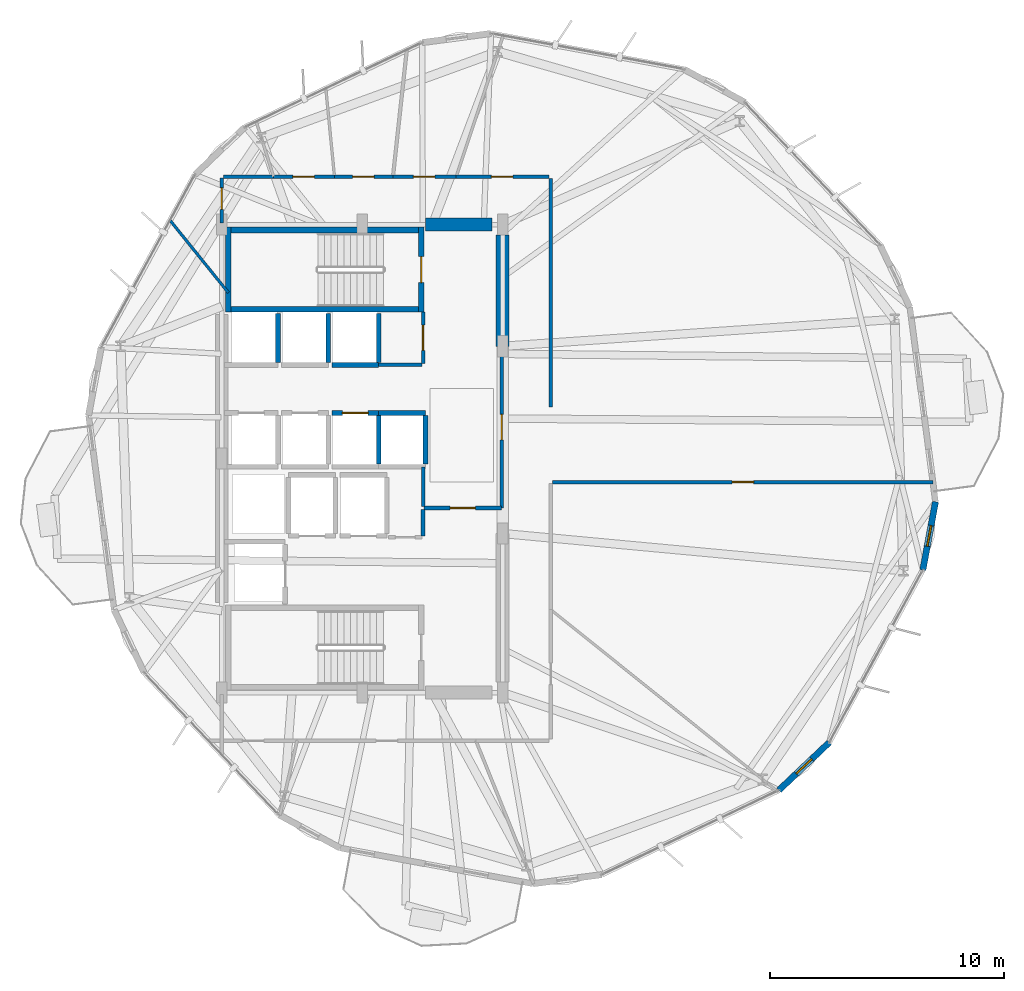
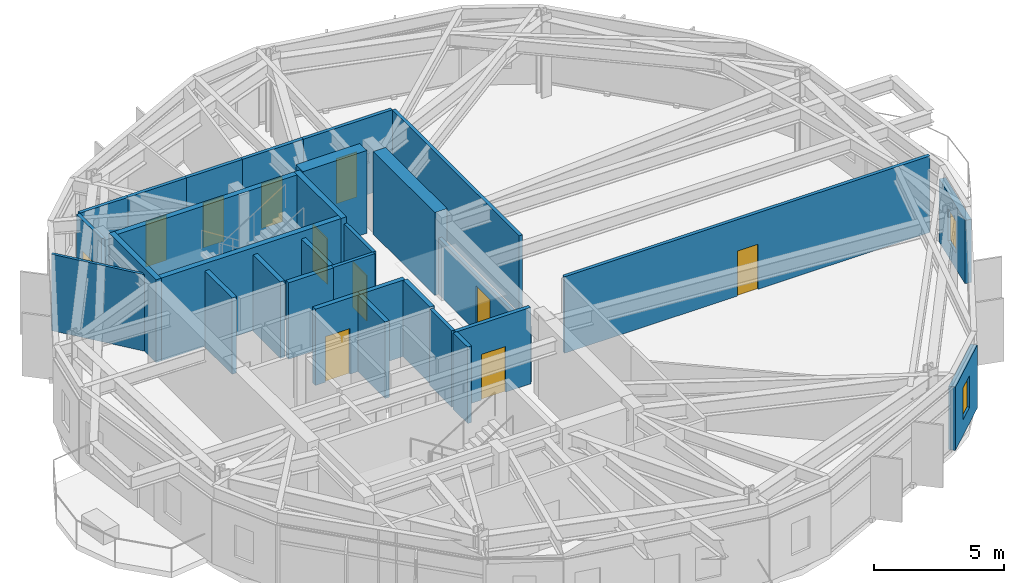
# One storey, part 21 of 25: 31 walls, 11 doors, 2 windows, 13 openings.
"""IFC4 building model written with IfcOpenShell, lengths in metres."""

from ifc_helpers import new_model, si_unit, direction, frame, frame_2d, origin, place, context, subcontext, project, spatial, rectangle, extrude, material, layer, layer_set, type_object, element, fill, save


model = new_model("IFC4")

# Units and contexts
model_context = context("Model", 3, precision=1e-05, world=origin(), true_north=direction((0.0, 1.0)))
body_context = subcontext(model_context, "Body", "Model", "MODEL_VIEW")
ifc_project = project(units=[si_unit("LENGTHUNIT", "METRE"), si_unit("AREAUNIT", "SQUARE_METRE"), si_unit("VOLUMEUNIT", "CUBIC_METRE"), si_unit("PLANEANGLEUNIT", "RADIAN"), si_unit("MASSUNIT", "GRAM", prefix="KILO")], contexts=[model_context])

# Site, building, storey
site_placement = place(None, origin())
site = spatial("IfcSite", under=ifc_project, at=site_placement, CompositionType="ELEMENT")
building_placement = place(site_placement, origin())
building = spatial("IfcBuilding", under=site, at=building_placement, Name="Soratama Intermodal Tower", CompositionType="ELEMENT")
storey_placement = place(building_placement, frame((0.0, 0.0, 126.39990234375)))
storey = spatial("IfcBuildingStorey", under=building, at=storey_placement, Name="L30", CompositionType="ELEMENT", Elevation=126.39990234375)

# Wall, opening, window
ifc_material_1 = material(Name="Concrete f'c 42 MPa", Category="concrete")
ifc_layer_1 = layer(ifc_material_1, 0.27001953125)
ifc_layer_set_1 = layer_set([ifc_layer_1], Name="Concrete f'c 42 MPa")
wall_type_1 = type_object("IfcWallType", Name="EW-CRN-270", PredefinedType="SOLIDWALL", material=ifc_layer_set_1)
wall_1_placement = place(storey_placement, frame((56.40380859375, 10.827880859375, 0.0), z_axis=(0.0, 0.0, 1.0), x_axis=(0.725340416539, 0.688390354476, 0.0)))
wall_1 = element("IfcWall", 1, at=wall_1_placement, inside=storey, type_object=wall_type_1, Name="L30 Corner Closure Wall 08", PredefinedType="SOLIDWALL", context=body_context, shape_type="SweptSolid", body=[
    extrude(rectangle(XDim=2.966796875, YDim=0.27001953125, at=frame_2d((1.4833984375, 0.0))), origin(), (0.0, 0.0, 1.0), 2.97900390625),
])
opening_1_placement = place(wall_1_placement, frame((1.033203125, 0.0, 0.75)))
opening_1 = element("IfcOpeningElement", 2, at=opening_1_placement, cuts=wall_1, Name="Opening WN-6", PredefinedType="OPENING", context=body_context, shape_type="SweptSolid", body=[
    extrude(rectangle(XDim=0.89990234375, YDim=1.5, at=frame_2d((0.449951171875, 0.75))), frame((0.0, 0.14501953125, 0.0), z_axis=(0.0, -1.0, 0.0), x_axis=(1.0, 0.0, 0.0)), (0.0, 0.0, 1.0), 0.2900390625),
])
ifc_material_2 = material(Name="Double-glazed aluminium window", Category="aluminium")
window_type = type_object("IfcWindowType", Name="WN-FAC-900", PartitioningType="SINGLE_PANEL", PredefinedType="WINDOW", material=ifc_material_2)
window_1_placement = place(opening_1_placement, origin())
window_1 = element("IfcWindow", 3, at=window_1_placement, inside=storey, type_object=window_type, Name="L30 Corner Window 08", OverallHeight=1.5, OverallWidth=0.89990234375, PartitioningType="SINGLE_PANEL", PredefinedType="WINDOW", context=body_context, shape_type="SweptSolid", body=[
    extrude(rectangle(XDim=0.89990234375, YDim=1.5, at=frame_2d((0.449951171875, 0.75))), frame((0.0, 0.030029296875, 0.0), z_axis=(0.0, -1.0, 0.0), x_axis=(1.0, 0.0, 0.0)), (0.0, 0.0, 1.0), 0.06005859375),
])
fill(opening_1, window_1)

wall_2_placement = place(storey_placement, frame((62.555908203125, 20.23779296875, 0.0), z_axis=(0.0, 0.0, 1.0), x_axis=(0.182295553122, 0.983243780205, 0.0)))
wall_2 = element("IfcWall", 4, at=wall_2_placement, inside=storey, type_object=wall_type_1, Name="L30 Corner Closure Wall 09", PredefinedType="SOLIDWALL", context=body_context, shape_type="SweptSolid", body=[
    extrude(rectangle(XDim=2.966552734375, YDim=0.27001953125, at=frame_2d((1.4833984375, 0.0))), origin(), (0.0, 0.0, 1.0), 2.97900390625),
])
opening_2_placement = place(wall_2_placement, frame((1.033203125, 0.0, 0.75)))
opening_2 = element("IfcOpeningElement", 5, at=opening_2_placement, cuts=wall_2, Name="Opening WN-6", PredefinedType="OPENING", context=body_context, shape_type="SweptSolid", body=[
    extrude(rectangle(XDim=0.89990234375, YDim=1.5, at=frame_2d((0.449951171875, 0.75))), frame((0.0, 0.14501953125, 0.0), z_axis=(0.0, -1.0, 0.0), x_axis=(1.0, 0.0, 0.0)), (0.0, 0.0, 1.0), 0.2900390625),
])
window_2_placement = place(opening_2_placement, origin())
window_2 = element("IfcWindow", 6, at=window_2_placement, inside=storey, type_object=window_type, Name="L30 Corner Window 09", OverallHeight=1.5, OverallWidth=0.89990234375, PartitioningType="SINGLE_PANEL", PredefinedType="WINDOW", context=body_context, shape_type="SweptSolid", body=[
    extrude(rectangle(XDim=0.89990234375, YDim=1.5, at=frame_2d((0.449951171875, 0.75))), frame((0.0, 0.030029296875, 0.0), z_axis=(0.0, -1.0, 0.0), x_axis=(1.0, 0.0, 0.0)), (0.0, 0.0, 1.0), 0.06005859375),
])
fill(opening_2, window_2)

# Wall, opening, door
ifc_material_3 = material(Name="Fire-rated gypsum stud partition", Category="concrete")
ifc_layer_2 = layer(ifc_material_3, 0.14990234375)
ifc_layer_set_2 = layer_set([ifc_layer_2], Name="Fire-rated gypsum stud partition")
wall_type_2 = type_object("IfcWallType", Name="IW-PART-R150", PredefinedType="PARTITIONING", material=ifc_layer_set_2)
wall_3_placement = place(storey_placement, frame((62.985107421875, 24.0, 0.0), z_axis=(0.0, 0.0, 1.0), x_axis=(-1.0, 0.0, 0.0)))
wall_3 = element("IfcWall", 7, at=wall_3_placement, inside=storey, type_object=wall_type_2, Name="L30 Partition W-L30-TP001", PredefinedType="PARTITIONING", context=body_context, shape_type="SweptSolid", body=[
    extrude(rectangle(XDim=16.26513671875, YDim=0.14990234375, at=frame_2d((8.132568359375, 0.0))), origin(), (0.0, 0.0, 1.0), 3.60009765625),
])
opening_3_placement = place(wall_3_placement, frame((7.657958984375, 0.0, 0.0)))
opening_3 = element("IfcOpeningElement", 8, at=opening_3_placement, cuts=wall_3, Name="Opening ID-6", PredefinedType="OPENING", context=body_context, shape_type="SweptSolid", body=[
    extrude(rectangle(XDim=0.919921875, YDim=2.1201171875, at=frame_2d((0.4599609375, 1.06005859375))), frame((0.0, 0.0849609375, 0.0), z_axis=(0.0, -1.0, 0.0), x_axis=(1.0, 0.0, 0.0)), (0.0, 0.0, 1.0), 0.169921875),
])
ifc_material_4 = material(Name="Solid hardwood acoustic door", Category="wood")
door_type_1 = type_object("IfcDoorType", Name="DR-ROOM-920", OperationType="NOTDEFINED", PredefinedType="DOOR", material=ifc_material_4)
door_1_placement = place(opening_3_placement, origin())
door_1 = element("IfcDoor", 9, at=door_1_placement, inside=storey, type_object=door_type_1, Name="L30 Door D-L30-TP001", OperationType="SINGLE_SWING_RIGHT", OverallHeight=2.1201171875, OverallWidth=0.919921875, PredefinedType="DOOR", context=body_context, shape_type="SweptSolid", body=[
    extrude(rectangle(XDim=0.919921875, YDim=2.1201171875, at=frame_2d((0.4599609375, 1.06005859375))), frame((0.0, 0.02490234375, 0.0), z_axis=(0.0, -1.0, 0.0), x_axis=(1.0, 0.0, 0.0)), (0.0, 0.0, 1.0), 0.050048828125),
])
fill(opening_3, door_1)

wall_4_placement = place(storey_placement, frame((44.56005859375, 29.800048828125, 0.0), z_axis=(0.0, 0.0, 1.0), x_axis=(0.0, -1.0, 0.0)))
wall_4 = element("IfcWall", 10, at=wall_4_placement, inside=storey, type_object=wall_type_2, Name="L30 Partition W-L30-TP004", PredefinedType="PARTITIONING", context=body_context, shape_type="SweptSolid", body=[
    extrude(rectangle(XDim=6.91015625, YDim=0.14990234375, at=frame_2d((3.455078125, 0.0))), origin(), (0.0, 0.0, 1.0), 2.64013671875),
])
opening_4_placement = place(wall_4_placement, frame((2.9150390625, 0.0, 0.0)))
opening_4 = element("IfcOpeningElement", 11, at=opening_4_placement, cuts=wall_4, Name="Opening ID-1", PredefinedType="OPENING", context=body_context, shape_type="SweptSolid", body=[
    extrude(rectangle(XDim=1.080078125, YDim=2.14990234375, at=frame_2d((0.5400390625, 1.074951171875))), frame((0.0, 0.0849609375, 0.0), z_axis=(0.0, -1.0, 0.0), x_axis=(1.0, 0.0, 0.0)), (0.0, 0.0, 1.0), 0.169921875),
])
ifc_material_5 = material(Name="Solid hardwood acoustic door", Category="wood")
door_type_2 = type_object("IfcDoorType", Name="DR-LOB-FD60", OperationType="NOTDEFINED", PredefinedType="DOOR", material=ifc_material_5)
door_2_placement = place(opening_4_placement, origin())
door_2 = element("IfcDoor", 12, at=door_2_placement, inside=storey, type_object=door_type_2, Name="L30 Door D-L30-TP003", OperationType="SINGLE_SWING_RIGHT", OverallHeight=2.14990234375, OverallWidth=1.080078125, PredefinedType="DOOR", context=body_context, shape_type="SweptSolid", body=[
    extrude(rectangle(XDim=1.080078125, YDim=2.14990234375, at=frame_2d((0.5400390625, 1.074951171875))), frame((0.0, 0.02490234375, 0.0), z_axis=(0.0, -1.0, 0.0), x_axis=(1.0, 0.0, 0.0)), (0.0, 0.0, 1.0), 0.050048828125),
])
fill(opening_4, door_2)

wall_5_placement = place(storey_placement, frame((42.614013671875, 37.050048828125, 0.0), z_axis=(0.0, 0.0, 1.0), x_axis=(1.0, 0.0, 0.0)))
wall_5 = element("IfcWall", 13, at=wall_5_placement, inside=storey, type_object=wall_type_2, Name="L30 Partition W-L30-TP011", PredefinedType="PARTITIONING", context=body_context, shape_type="SweptSolid", body=[
    extrude(rectangle(XDim=3.966064453125, YDim=0.14990234375, at=frame_2d((1.98291015625, 0.0))), origin(), (0.0, 0.0, 1.0), 3.60009765625),
])
opening_5_placement = place(wall_5_placement, frame((1.508056640625, 0.0, 0.0)))
opening_5 = element("IfcOpeningElement", 14, at=opening_5_placement, cuts=wall_5, Name="Opening ID-6", PredefinedType="OPENING", context=body_context, shape_type="SweptSolid", body=[
    extrude(rectangle(XDim=0.919921875, YDim=2.1201171875, at=frame_2d((0.4599609375, 1.06005859375))), frame((0.0, 0.0849609375, 0.0), z_axis=(0.0, -1.0, 0.0), x_axis=(1.0, 0.0, 0.0)), (0.0, 0.0, 1.0), 0.169921875),
])
door_3_placement = place(opening_5_placement, origin())
door_3 = element("IfcDoor", 15, at=door_3_placement, inside=storey, type_object=door_type_1, Name="L30 Door D-L30-TP005", OperationType="SINGLE_SWING_RIGHT", OverallHeight=2.1201171875, OverallWidth=0.919921875, PredefinedType="DOOR", context=body_context, shape_type="SweptSolid", body=[
    extrude(rectangle(XDim=0.919921875, YDim=2.1201171875, at=frame_2d((0.4599609375, 1.06005859375))), frame((0.0, 0.02490234375, 0.0), z_axis=(0.0, -1.0, 0.0), x_axis=(1.0, 0.0, 0.0)), (0.0, 0.0, 1.0), 0.050048828125),
])
fill(opening_5, door_3)

wall_6_placement = place(storey_placement, frame((39.9140625, 37.050048828125, 0.0), z_axis=(0.0, 0.0, 1.0), x_axis=(1.0, 0.0, 0.0)))
wall_6 = element("IfcWall", 16, at=wall_6_placement, inside=storey, type_object=wall_type_2, Name="L30 Partition W-L30-TP017", PredefinedType="PARTITIONING", context=body_context, shape_type="SweptSolid", body=[
    extrude(rectangle(XDim=2.699951171875, YDim=0.14990234375, at=frame_2d((1.35009765625, 0.0))), origin(), (0.0, 0.0, 1.0), 3.60009765625),
])
opening_6_placement = place(wall_6_placement, frame((0.875, 0.0, 0.0)))
opening_6 = element("IfcOpeningElement", 17, at=opening_6_placement, cuts=wall_6, Name="Opening ID-6", PredefinedType="OPENING", context=body_context, shape_type="SweptSolid", body=[
    extrude(rectangle(XDim=0.919921875, YDim=2.1201171875, at=frame_2d((0.4599609375, 1.06005859375))), frame((0.0, 0.0849609375, 0.0), z_axis=(0.0, -1.0, 0.0), x_axis=(1.0, 0.0, 0.0)), (0.0, 0.0, 1.0), 0.169921875),
])
door_4_placement = place(opening_6_placement, origin())
door_4 = element("IfcDoor", 18, at=door_4_placement, inside=storey, type_object=door_type_1, Name="L30 Door D-L30-TP008", OperationType="SINGLE_SWING_LEFT", OverallHeight=2.1201171875, OverallWidth=0.919921875, PredefinedType="DOOR", context=body_context, shape_type="SweptSolid", body=[
    extrude(rectangle(XDim=0.919921875, YDim=2.1201171875, at=frame_2d((0.4599609375, 1.06005859375))), frame((0.0, 0.02490234375, 0.0), z_axis=(0.0, -1.0, 0.0), x_axis=(1.0, 0.0, 0.0)), (0.0, 0.0, 1.0), 0.050048828125),
])
fill(opening_6, door_4)

wall_7_placement = place(storey_placement, frame((34.81005859375, 37.050048828125, 0.0), z_axis=(0.0, 0.0, 1.0), x_axis=(1.0, 0.0, 0.0)))
wall_7 = element("IfcWall", 19, at=wall_7_placement, inside=storey, type_object=wall_type_2, Name="L30 Partition W-L30-TP018", PredefinedType="PARTITIONING", context=body_context, shape_type="SweptSolid", body=[
    extrude(rectangle(XDim=2.60498046875, YDim=0.14990234375, at=frame_2d((1.302490234375, 0.0))), origin(), (0.0, 0.0, 1.0), 3.60009765625),
])
opening_7_placement = place(wall_7_placement, frame((0.826904296875, 0.0, 0.0)))
opening_7 = element("IfcOpeningElement", 20, at=opening_7_placement, cuts=wall_7, Name="Opening ID-6", PredefinedType="OPENING", context=body_context, shape_type="SweptSolid", body=[
    extrude(rectangle(XDim=0.919921875, YDim=2.1201171875, at=frame_2d((0.4599609375, 1.06005859375))), frame((0.0, 0.0849609375, 0.0), z_axis=(0.0, -1.0, 0.0), x_axis=(1.0, 0.0, 0.0)), (0.0, 0.0, 1.0), 0.169921875),
])
door_5_placement = place(opening_7_placement, origin())
door_5 = element("IfcDoor", 21, at=door_5_placement, inside=storey, type_object=door_type_1, Name="L30 Door D-L30-TP009", OperationType="SINGLE_SWING_RIGHT", OverallHeight=2.1201171875, OverallWidth=0.919921875, PredefinedType="DOOR", context=body_context, shape_type="SweptSolid", body=[
    extrude(rectangle(XDim=0.919921875, YDim=2.1201171875, at=frame_2d((0.4599609375, 1.06005859375))), frame((0.0, 0.02490234375, 0.0), z_axis=(0.0, -1.0, 0.0), x_axis=(1.0, 0.0, 0.0)), (0.0, 0.0, 1.0), 0.050048828125),
])
fill(opening_7, door_5)

wall_8_placement = place(storey_placement, frame((37.4150390625, 37.050048828125, 0.0), z_axis=(0.0, 0.0, 1.0), x_axis=(1.0, 0.0, 0.0)))
wall_8 = element("IfcWall", 22, at=wall_8_placement, inside=storey, type_object=wall_type_2, Name="L30 Partition W-L30-TP020", PredefinedType="PARTITIONING", context=body_context, shape_type="SweptSolid", body=[
    extrude(rectangle(XDim=2.4990234375, YDim=0.14990234375, at=frame_2d((1.24951171875, 0.0))), origin(), (0.0, 0.0, 1.0), 3.60009765625),
])
opening_8_placement = place(wall_8_placement, frame((0.77490234375, 0.0, 0.0)))
opening_8 = element("IfcOpeningElement", 23, at=opening_8_placement, cuts=wall_8, Name="Opening ID-6", PredefinedType="OPENING", context=body_context, shape_type="SweptSolid", body=[
    extrude(rectangle(XDim=0.919921875, YDim=2.1201171875, at=frame_2d((0.4599609375, 1.06005859375))), frame((0.0, 0.0849609375, 0.0), z_axis=(0.0, -1.0, 0.0), x_axis=(1.0, 0.0, 0.0)), (0.0, 0.0, 1.0), 0.169921875),
])
door_6_placement = place(opening_8_placement, origin())
door_6 = element("IfcDoor", 24, at=door_6_placement, inside=storey, type_object=door_type_1, Name="L30 Door D-L30-TP010", OperationType="SINGLE_SWING_LEFT", OverallHeight=2.1201171875, OverallWidth=0.919921875, PredefinedType="DOOR", context=body_context, shape_type="SweptSolid", body=[
    extrude(rectangle(XDim=0.919921875, YDim=2.1201171875, at=frame_2d((0.4599609375, 1.06005859375))), frame((0.0, 0.02490234375, 0.0), z_axis=(0.0, -1.0, 0.0), x_axis=(1.0, 0.0, 0.0)), (0.0, 0.0, 1.0), 0.050048828125),
])
fill(opening_8, door_6)

wall_9_placement = place(storey_placement, frame((41.199951171875, 29.070068359375, 0.0), z_axis=(0.0, 0.0, 1.0), x_axis=(0.0, 1.0, 0.0)))
wall_9 = element("IfcWall", 25, at=wall_9_placement, inside=storey, type_object=wall_type_2, Name="L30 Partition W-L30-TP022", PredefinedType="PARTITIONING", context=body_context, shape_type="SweptSolid", body=[
    extrude(rectangle(XDim=2.18994140625, YDim=0.14990234375, at=frame_2d((1.094970703125, 0.0))), origin(), (0.0, 0.0, 1.0), 3.60009765625),
])
opening_9_placement = place(wall_9_placement, frame((0.554931640625, 0.0, 0.0)))
opening_9 = element("IfcOpeningElement", 26, at=opening_9_placement, cuts=wall_9, Name="Opening ID-1", PredefinedType="OPENING", context=body_context, shape_type="SweptSolid", body=[
    extrude(rectangle(XDim=1.080078125, YDim=2.14990234375, at=frame_2d((0.5400390625, 1.074951171875))), frame((0.0, 0.0849609375, 0.0), z_axis=(0.0, -1.0, 0.0), x_axis=(1.0, 0.0, 0.0)), (0.0, 0.0, 1.0), 0.169921875),
])
door_7_placement = place(opening_9_placement, origin())
door_7 = element("IfcDoor", 27, at=door_7_placement, inside=storey, type_object=door_type_2, Name="L30 Door D-L30-TP011", OperationType="SINGLE_SWING_RIGHT", OverallHeight=2.14990234375, OverallWidth=1.080078125, PredefinedType="DOOR", context=body_context, shape_type="SweptSolid", body=[
    extrude(rectangle(XDim=1.080078125, YDim=2.14990234375, at=frame_2d((0.5400390625, 1.074951171875))), frame((0.0, 0.02490234375, 0.0), z_axis=(0.0, -1.0, 0.0), x_axis=(1.0, 0.0, 0.0)), (0.0, 0.0, 1.0), 0.050048828125),
])
fill(opening_9, door_7)

# Wall
wall_10_placement = place(storey_placement, frame((32.669921875, 37.050048828125, 0.0), z_axis=(0.0, 0.0, 1.0), x_axis=(1.0, 0.0, 0.0)))
element("IfcWall", 28, at=wall_10_placement, inside=storey, type_object=wall_type_2, Name="L30 Partition W-L30-TP023", PredefinedType="PARTITIONING", context=body_context, shape_type="SweptSolid", body=[
    extrude(rectangle(XDim=2.14013671875, YDim=0.14990234375, at=frame_2d((1.070068359375, 0.0))), origin(), (0.0, 0.0, 1.0), 3.60009765625),
])

# Wall, opening, door
wall_11_placement = place(storey_placement, frame((32.60009765625, 35.070068359375, 0.0), z_axis=(0.0, 0.0, 1.0), x_axis=(0.0, 1.0, 0.0)))
wall_11 = element("IfcWall", 29, at=wall_11_placement, inside=storey, type_object=wall_type_2, Name="L30 Partition W-L30-TP024", PredefinedType="PARTITIONING", context=body_context, shape_type="SweptSolid", body=[
    extrude(rectangle(XDim=1.909912109375, YDim=0.14990234375, at=frame_2d((0.955078125, 0.0))), origin(), (0.0, 0.0, 1.0), 3.60009765625),
])
opening_10_placement = place(wall_11_placement, frame((0.574951171875, 0.0, 0.0)))
opening_10 = element("IfcOpeningElement", 30, at=opening_10_placement, cuts=wall_11, Name="Opening ID-6", PredefinedType="OPENING", context=body_context, shape_type="SweptSolid", body=[
    extrude(rectangle(XDim=0.919921875, YDim=2.1201171875, at=frame_2d((0.4599609375, 1.06005859375))), frame((0.0, 0.0849609375, 0.0), z_axis=(0.0, -1.0, 0.0), x_axis=(1.0, 0.0, 0.0)), (0.0, 0.0, 1.0), 0.169921875),
])
door_8_placement = place(opening_10_placement, origin())
door_8 = element("IfcDoor", 31, at=door_8_placement, inside=storey, type_object=door_type_1, Name="L30 Door D-L30-TP012", OperationType="SINGLE_SWING_LEFT", OverallHeight=2.1201171875, OverallWidth=0.919921875, PredefinedType="DOOR", context=body_context, shape_type="SweptSolid", body=[
    extrude(rectangle(XDim=0.919921875, YDim=2.1201171875, at=frame_2d((0.4599609375, 1.06005859375))), frame((0.0, 0.02490234375, 0.0), z_axis=(0.0, -1.0, 0.0), x_axis=(1.0, 0.0, 0.0)), (0.0, 0.0, 1.0), 0.050048828125),
])
fill(opening_10, door_8)

# Walls
wall_12_placement = place(storey_placement, frame((39.300048828125, 29.010009765625, 0.0), z_axis=(0.0, 0.0, 1.0), x_axis=(1.0, 0.0, 0.0)))
element("IfcWall", 32, at=wall_12_placement, inside=storey, type_object=wall_type_2, Name="L30 Partition W-L30-TP025", PredefinedType="PARTITIONING", context=body_context, shape_type="SweptSolid", body=[
    extrude(rectangle(XDim=1.85986328125, YDim=0.14990234375, at=frame_2d((0.929931640625, 0.0))), origin(), (0.0, 0.0, 1.0), 3.60009765625),
])
wall_13_placement = place(storey_placement, frame((41.199951171875, 22.9599609375, 0.0), z_axis=(0.0, 0.0, 1.0), x_axis=(0.0, 1.0, 0.0)))
element("IfcWall", 33, at=wall_13_placement, inside=storey, type_object=wall_type_2, Name="L30 Partition W-L30-TP026", PredefinedType="PARTITIONING", context=body_context, shape_type="SweptSolid", body=[
    extrude(rectangle(XDim=1.68994140625, YDim=0.14990234375, at=frame_2d((0.844970703125, 0.0))), origin(), (0.0, 0.0, 1.0), 3.60009765625),
])
wall_14_placement = place(storey_placement, frame((46.64990234375, 36.97998046875, 0.0), z_axis=(0.0, 0.0, 1.0), x_axis=(0.0, -1.0, 0.0)))
element("IfcWall", 34, at=wall_14_placement, inside=storey, type_object=wall_type_2, Name="L30 Partition W-L30-TP029", PredefinedType="PARTITIONING", context=body_context, shape_type="SweptSolid", body=[
    extrude(rectangle(XDim=9.783935546875, YDim=0.14990234375, at=frame_2d((4.89208984375, 0.0))), origin(), (0.0, 0.0, 1.0), 3.60009765625),
])

# Wall, opening, door
ifc_material_6 = material(Name="Fire-rated gypsum stud partition", Category="concrete")
ifc_layer_3 = layer(ifc_material_6, 0.169921875)
ifc_layer_set_3 = layer_set([ifc_layer_3], Name="Fire-rated gypsum stud partition")
wall_type_3 = type_object("IfcWallType", Name="IW-PART-R170", PredefinedType="PARTITIONING", material=ifc_layer_set_3)
wall_15_placement = place(storey_placement, frame((41.239990234375, 22.889892578125, 0.0), z_axis=(0.0, 0.0, 1.0), x_axis=(1.0, 0.0, 0.0)))
wall_15 = element("IfcWall", 35, at=wall_15_placement, inside=storey, type_object=wall_type_3, Name="L30 Partition W-L30-TP014", PredefinedType="PARTITIONING", context=body_context, shape_type="SweptSolid", body=[
    extrude(rectangle(XDim=3.320068359375, YDim=0.169921875, at=frame_2d((1.66015625, 0.0))), origin(), (0.0, 0.0, 1.0), 3.60009765625),
])
opening_11_placement = place(wall_15_placement, frame((1.1201171875, 0.0, 0.0)))
opening_11 = element("IfcOpeningElement", 36, at=opening_11_placement, cuts=wall_15, Name="Opening ID-0", PredefinedType="OPENING", context=body_context, shape_type="SweptSolid", body=[
    extrude(rectangle(XDim=1.080078125, YDim=2.14990234375, at=frame_2d((0.5400390625, 1.074951171875))), frame((0.0, 0.094970703125, 0.0), z_axis=(0.0, -1.0, 0.0), x_axis=(1.0, 0.0, 0.0)), (0.0, 0.0, 1.0), 0.18994140625),
])
ifc_material_7 = material(Name="Solid hardwood acoustic door", Category="wood")
door_type_3 = type_object("IfcDoorType", Name="DR-LOB-FD90", OperationType="NOTDEFINED", PredefinedType="DOOR", material=ifc_material_7)
door_9_placement = place(opening_11_placement, origin())
door_9 = element("IfcDoor", 37, at=door_9_placement, inside=storey, type_object=door_type_3, Name="L30 Door D-L30-TP007", OperationType="SINGLE_SWING_RIGHT", OverallHeight=2.14990234375, OverallWidth=1.080078125, PredefinedType="DOOR", context=body_context, shape_type="SweptSolid", body=[
    extrude(rectangle(XDim=1.080078125, YDim=2.14990234375, at=frame_2d((0.5400390625, 1.074951171875))), frame((0.0, 0.02490234375, 0.0), z_axis=(0.0, -1.0, 0.0), x_axis=(1.0, 0.0, 0.0)), (0.0, 0.0, 1.0), 0.050048828125),
])
fill(opening_11, door_9)

# Walls
wall_16_placement = place(storey_placement, frame((41.199951171875, 21.699951171875, 0.0), z_axis=(0.0, 0.0, 1.0), x_axis=(0.0, 1.0, 0.0)))
element("IfcWall", 38, at=wall_16_placement, inside=storey, type_object=wall_type_3, Name="L30 Partition W-L30-TP028", PredefinedType="PARTITIONING", context=body_context, shape_type="SweptSolid", body=[
    extrude(rectangle(XDim=1.1201171875, YDim=0.169921875, at=frame_2d((0.56005859375, 0.0))), origin(), (0.0, 0.0, 1.0), 3.60009765625),
])
ifc_material_8 = material(Name="Fire-rated gypsum stud partition", Category="concrete")
ifc_layer_4 = layer(ifc_material_8, 0.1201171875)
ifc_layer_set_4 = layer_set([ifc_layer_4], Name="Fire-rated gypsum stud partition")
wall_type_4 = type_object("IfcWallType", Name="IW-PART-S120", PredefinedType="PARTITIONING", material=ifc_layer_set_4)
wall_17_placement = place(storey_placement, frame((32.8798828125, 32.091064453125, 0.0), z_axis=(0.0, 0.0, 1.0), x_axis=(-0.627801721524, 0.778373302761, 0.0)))
element("IfcWall", 39, at=wall_17_placement, inside=storey, type_object=wall_type_4, Name="L30 Partition W-L30-TP010", PredefinedType="PARTITIONING", context=body_context, shape_type="SweptSolid", body=[
    extrude(rectangle(XDim=3.970947265625, YDim=0.1201171875, at=frame_2d((1.9853515625, 0.0))), origin(), (0.0, 0.0, 1.0), 3.60009765625),
])

# Wall, opening, door
ifc_material_9 = material(Name="Concrete f'c 42 MPa", Category="concrete")
ifc_layer_5 = layer(ifc_material_9, 0.199951171875)
ifc_layer_set_5 = layer_set([ifc_layer_5], Name="Concrete f'c 42 MPa")
wall_type_5 = type_object("IfcWallType", Name="IW-SHAFT-200", PredefinedType="SOLIDWALL", material=ifc_layer_set_5)
wall_18_placement = place(storey_placement, frame((37.300048828125, 26.949951171875, 0.0), z_axis=(0.0, 0.0, 1.0), x_axis=(1.0, 0.0, 0.0)))
wall_18 = element("IfcWall", 40, at=wall_18_placement, inside=storey, type_object=wall_type_5, Name="L30 PL-L3 Hoistway Wall N", PredefinedType="SOLIDWALL", context=body_context, shape_type="SweptSolid", body=[
    extrude(rectangle(XDim=2.0, YDim=0.199951171875, at=frame_2d((1.0, 0.0))), origin(), (0.0, 0.0, 1.0), 3.60009765625),
])
opening_12_placement = place(wall_18_placement, frame((0.449951171875, 0.0, 0.0)))
opening_12 = element("IfcOpeningElement", 41, at=opening_12_placement, cuts=wall_18, Name="Opening LD-1", PredefinedType="OPENING", context=body_context, shape_type="SweptSolid", body=[
    extrude(rectangle(XDim=1.10009765625, YDim=2.14990234375, at=frame_2d((0.550048828125, 1.074951171875))), frame((0.0, 0.10986328125, 0.0), z_axis=(0.0, -1.0, 0.0), x_axis=(1.0, 0.0, 0.0)), (0.0, 0.0, 1.0), 0.219970703125),
])
ifc_material_10 = material(Name="Steel fire door", Category="steel")
door_type_4 = type_object("IfcDoorType", Name="DR-LIFT-SLIDE", OperationType="NOTDEFINED", PredefinedType="DOOR", material=ifc_material_10)
door_10_placement = place(opening_12_placement, origin())
door_10 = element("IfcDoor", 42, at=door_10_placement, inside=storey, type_object=door_type_4, Name="L30 PL-L3 Sliding Landing Door", OperationType="SLIDING_TO_LEFT", OverallHeight=2.14990234375, OverallWidth=1.10009765625, PredefinedType="DOOR", context=body_context, shape_type="SweptSolid", body=[
    extrude(rectangle(XDim=1.10009765625, YDim=2.14990234375, at=frame_2d((0.550048828125, 1.074951171875))), frame((0.0, 0.02490234375, 0.0), z_axis=(0.0, -1.0, 0.0), x_axis=(1.0, 0.0, 0.0)), (0.0, 0.0, 1.0), 0.050048828125),
])
fill(opening_12, door_10)

# Walls
wall_19_placement = place(storey_placement, frame((39.300048828125, 24.760009765625, 0.0), z_axis=(0.0, 0.0, 1.0), x_axis=(0.0, 1.0, 0.0)))
element("IfcWall", 43, at=wall_19_placement, inside=storey, type_object=wall_type_5, Name="L30 PL-L3 Hoistway Wall E", PredefinedType="SOLIDWALL", context=body_context, shape_type="SweptSolid", body=[
    extrude(rectangle(XDim=2.080078125, YDim=0.199951171875, at=frame_2d((1.0400390625, 0.0))), origin(), (0.0, 0.0, 1.0), 3.60009765625),
])
wall_20_placement = place(storey_placement, frame((39.300048828125, 26.949951171875, 0.0), z_axis=(0.0, 0.0, 1.0), x_axis=(1.0, 0.0, 0.0)))
element("IfcWall", 44, at=wall_20_placement, inside=storey, type_object=wall_type_5, Name="L30 PL-M1 Hoistway Wall N", PredefinedType="SOLIDWALL", context=body_context, shape_type="SweptSolid", body=[
    extrude(rectangle(XDim=2.0, YDim=0.199951171875, at=frame_2d((1.0, 0.0))), origin(), (0.0, 0.0, 1.0), 3.60009765625),
])
wall_21_placement = place(storey_placement, frame((41.300048828125, 24.760009765625, 0.0), z_axis=(0.0, 0.0, 1.0), x_axis=(0.0, 1.0, 0.0)))
element("IfcWall", 45, at=wall_21_placement, inside=storey, type_object=wall_type_5, Name="L30 PL-M1 Hoistway Wall E", PredefinedType="SOLIDWALL", context=body_context, shape_type="SweptSolid", body=[
    extrude(rectangle(XDim=2.080078125, YDim=0.199951171875, at=frame_2d((1.0400390625, 0.0))), origin(), (0.0, 0.0, 1.0), 3.60009765625),
])
for number, where, z_axis, x_axis, name in (
    (46, (35.0, 29.110107421875, 0.0), (0.0, 0.0, 1.0), (0.0, 1.0, 0.0), "L30 PL-M2 Hoistway Wall E"),
    (47, (37.14990234375, 29.110107421875, 0.0), (0.0, 0.0, 1.0), (0.0, 1.0, 0.0), "L30 PL-H1 Hoistway Wall E"),
):
    element("IfcWall", number, at=place(storey_placement, frame(where, z_axis=z_axis, x_axis=x_axis)), inside=storey, type_object=wall_type_5, Name=name, PredefinedType="SOLIDWALL", context=body_context, shape_type="SweptSolid", body=[
        extrude(rectangle(XDim=2.099853515625, YDim=0.199951171875, at=frame_2d((1.0498046875, 0.0))), origin(), (0.0, 0.0, 1.0), 3.60009765625),
    ])
wall_22_placement = place(storey_placement, frame((37.300048828125, 29.0, 0.0), z_axis=(0.0, 0.0, 1.0), x_axis=(1.0, 0.0, 0.0)))
element("IfcWall", 48, at=wall_22_placement, inside=storey, type_object=wall_type_5, Name="L30 PL-H2 Hoistway Wall S", PredefinedType="SOLIDWALL", context=body_context, shape_type="SweptSolid", body=[
    extrude(rectangle(XDim=2.0, YDim=0.199951171875, at=frame_2d((1.0, 0.0))), origin(), (0.0, 0.0, 1.0), 3.60009765625),
])
wall_23_placement = place(storey_placement, frame((39.300048828125, 29.110107421875, 0.0), z_axis=(0.0, 0.0, 1.0), x_axis=(0.0, 1.0, 0.0)))
element("IfcWall", 49, at=wall_23_placement, inside=storey, type_object=wall_type_5, Name="L30 PL-H2 Hoistway Wall E", PredefinedType="SOLIDWALL", context=body_context, shape_type="SweptSolid", body=[
    extrude(rectangle(XDim=2.099853515625, YDim=0.199951171875, at=frame_2d((1.0498046875, 0.0))), origin(), (0.0, 0.0, 1.0), 3.60009765625),
])
ifc_material_11 = material(Name="Concrete f'c 56 MPa", Category="concrete")
ifc_layer_6 = layer(ifc_material_11, 0.550048828125)
ifc_layer_set_6 = layer_set([ifc_layer_6], Name="Concrete f'c 56 MPa")
wall_type_6 = type_object("IfcWallType", Name="SW-CORE-550", PredefinedType="SHEAR", material=ifc_layer_set_6)
wall_24_placement = place(storey_placement, frame((41.300048828125, 35.0, 0.0), z_axis=(0.0, 0.0, 1.0), x_axis=(1.0, 0.0, 0.0)))
element("IfcWall", 50, at=wall_24_placement, inside=storey, type_object=wall_type_6, Name="L30 Core Shear Wall CW-NE", PredefinedType="SHEAR", context=body_context, shape_type="SweptSolid", body=[
    extrude(rectangle(XDim=2.849853515625, YDim=0.550048828125, at=frame_2d((1.4248046875, 0.0))), origin(), (0.0, 0.0, 1.0), 3.900146484375),
])
wall_25_placement = place(storey_placement, frame((44.60009765625, 29.800048828125, 0.0), z_axis=(0.0, 0.0, 1.0), x_axis=(0.0, 1.0, 0.0)))
element("IfcWall", 51, at=wall_25_placement, inside=storey, type_object=wall_type_6, Name="L30 Core Shear Wall CW-EN", PredefinedType="SHEAR", context=body_context, shape_type="SweptSolid", body=[
    extrude(rectangle(XDim=4.75, YDim=0.550048828125, at=frame_2d((2.375, 0.0))), origin(), (0.0, 0.0, 1.0), 3.900146484375),
])
ifc_material_12 = material(Name="Concrete f'c 56 MPa", Category="concrete")
ifc_layer_7 = layer(ifc_material_12, 0.239990234375)
ifc_layer_set_7 = layer_set([ifc_layer_7], Name="Concrete f'c 56 MPa")
wall_type_7 = type_object("IfcWallType", Name="SW-STAIR-240", PredefinedType="SHEAR", material=ifc_layer_set_7)
wall_26_placement = place(storey_placement, frame((32.8798828125, 31.260009765625, 0.0), z_axis=(0.0, 0.0, 1.0), x_axis=(0.0, 1.0, 0.0)))
element("IfcWall", 52, at=wall_26_placement, inside=storey, type_object=wall_type_7, Name="L30 ST-2 Shaft Shear Wall W", PredefinedType="SHEAR", context=body_context, shape_type="SweptSolid", body=[
    extrude(rectangle(XDim=3.6298828125, YDim=0.239990234375, at=frame_2d((1.81494140625, 0.0))), origin(), (0.0, 0.0, 1.0), 3.900146484375),
])

# Wall, opening, door
wall_27_placement = place(storey_placement, frame((41.1201171875, 31.260009765625, 0.0), z_axis=(0.0, 0.0, 1.0), x_axis=(0.0, 1.0, 0.0)))
wall_27 = element("IfcWall", 53, at=wall_27_placement, inside=storey, type_object=wall_type_7, Name="L30 ST-2 Shaft Shear Wall E", PredefinedType="SHEAR", context=body_context, shape_type="SweptSolid", body=[
    extrude(rectangle(XDim=3.6298828125, YDim=0.239990234375, at=frame_2d((1.81494140625, 0.0))), origin(), (0.0, 0.0, 1.0), 3.900146484375),
])
opening_13_placement = place(wall_27_placement, frame((1.2548828125, 0.0, 0.0)))
opening_13 = element("IfcOpeningElement", 54, at=opening_13_placement, cuts=wall_27, Name="Opening SD-1", PredefinedType="OPENING", context=body_context, shape_type="SweptSolid", body=[
    extrude(rectangle(XDim=1.1201171875, YDim=2.14990234375, at=frame_2d((0.56005859375, 1.074951171875))), frame((0.0, 0.1298828125, 0.0), z_axis=(0.0, -1.0, 0.0), x_axis=(1.0, 0.0, 0.0)), (0.0, 0.0, 1.0), 0.260009765625),
])
ifc_material_13 = material(Name="Steel fire door", Category="steel")
door_type_5 = type_object("IfcDoorType", Name="DR-STAIR-FD90", OperationType="NOTDEFINED", PredefinedType="DOOR", material=ifc_material_13)
door_11_placement = place(opening_13_placement, origin())
door_11 = element("IfcDoor", 55, at=door_11_placement, inside=storey, type_object=door_type_5, Name="L30 ST-2 Exit Stair Door", OperationType="SINGLE_SWING_RIGHT", OverallHeight=2.14990234375, OverallWidth=1.1201171875, PredefinedType="DOOR", context=body_context, shape_type="SweptSolid", body=[
    extrude(rectangle(XDim=1.1201171875, YDim=2.14990234375, at=frame_2d((0.56005859375, 1.074951171875))), frame((0.0, 0.02490234375, 0.0), z_axis=(0.0, -1.0, 0.0), x_axis=(1.0, 0.0, 0.0)), (0.0, 0.0, 1.0), 0.050048828125),
])
fill(opening_13, door_11)

# Walls
for number, where, z_axis, x_axis, name in (
    (56, (33.0, 31.3798828125, 0.0), (0.0, 0.0, 1.0), (1.0, 0.0, 0.0), "L30 ST-2 Shaft Shear Wall S"),
    (57, (33.0, 34.77001953125, 0.0), (0.0, 0.0, 1.0), (1.0, 0.0, 0.0), "L30 ST-2 Shaft Shear Wall N"),
):
    element("IfcWall", number, at=place(storey_placement, frame(where, z_axis=z_axis, x_axis=x_axis)), inside=storey, type_object=wall_type_7, Name=name, PredefinedType="SHEAR", context=body_context, shape_type="SweptSolid", body=[
        extrude(rectangle(XDim=8.0, YDim=0.239990234375, at=frame_2d((4.0, 0.0))), origin(), (0.0, 0.0, 1.0), 3.900146484375),
    ])

save(model, "model.ifc")
